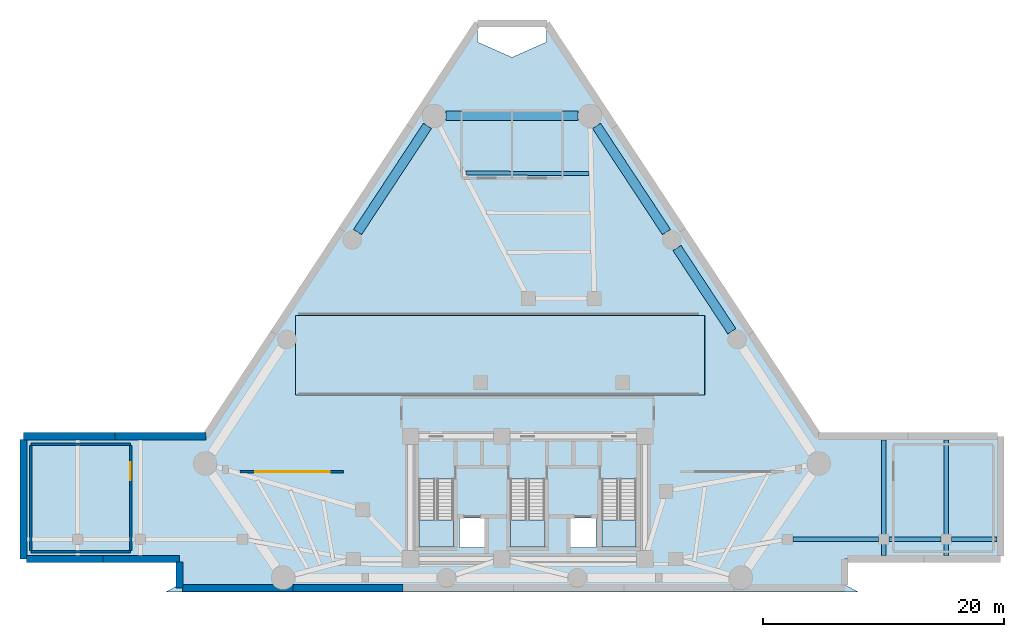
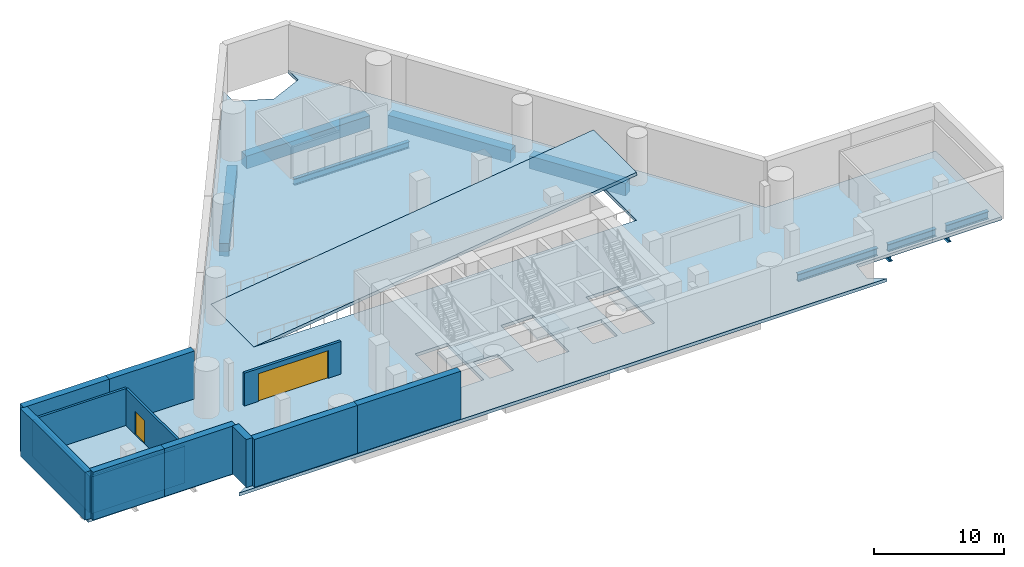
# One storey, part 2 of 6: 13 walls, 10 beams, 5 slabs, 2 doors, 2 openings, 3 elements without a shape of their own.
"""IFC4 building model written with IfcOpenShell, lengths in metres."""

from ifc_helpers import new_model, si_unit, direction, frame, frame_2d, origin, origin_2d, place, context, subcontext, project, spatial, polyline, rectangle, i_section, outline, extrude, material, layer, layer_set, material_profile, profile_set, type_object, element, fill, aggregate, save


model = new_model("IFC4")

# Units and contexts
model_context = context("Model", 3, precision=1e-05, world=origin(), true_north=direction((0.0, 1.0)))
body_context = subcontext(model_context, "Body", "Model", "MODEL_VIEW")
ifc_project = project(units=[si_unit("LENGTHUNIT", "METRE"), si_unit("AREAUNIT", "SQUARE_METRE"), si_unit("VOLUMEUNIT", "CUBIC_METRE"), si_unit("PLANEANGLEUNIT", "RADIAN"), si_unit("MASSUNIT", "GRAM", prefix="KILO")], contexts=[model_context])

# Site, building, storey
site_placement = place(None, origin())
site = spatial("IfcSite", under=ifc_project, at=site_placement, CompositionType="ELEMENT")
building_placement = place(site_placement, origin())
building = spatial("IfcBuilding", under=site, at=building_placement, Name="Almagre Mirador Tower", CompositionType="ELEMENT")
storey_placement = place(building_placement, frame((0.0, 0.0, -4.5)))
storey = spatial("IfcBuildingStorey", under=building, at=storey_placement, Name="B01", CompositionType="ELEMENT", Elevation=-4.5)

# Beams
ifc_material_1 = material(Name="Steel ASTM A992 Grade 50", Category="steel")
ifc_material_profile_1 = material_profile(ifc_material_1, i_section(OverallWidth=0.323974609375, OverallDepth=0.611083984375, WebThickness=0.0126953125, FlangeThickness=0.01904296875, FilletRadius=0.02001953125, at=origin_2d()), Name="W24X104")
ifc_profile_set_1 = profile_set([ifc_material_profile_1], Name="Steel ASTM A992 Grade 50")
beam_type_1 = type_object("IfcBeamType", Name="BM-JST-W24X104", PredefinedType="JOIST", material=ifc_profile_set_1)
beam_1_placement = place(storey_placement, frame((42.3837890625, 36.584716796875, -0.60546875), z_axis=(-0.99998337963, 0.005765454414, 0.0), x_axis=(-0.005765454414, -0.99998337963, 0.0)))
element("IfcBeam", 1, at=beam_1_placement, inside=storey, type_object=beam_type_1, Name="B01 secondary floor joist PC08-PC09.1", PredefinedType="JOIST", context=body_context, shape_type="SweptSolid", body=[
    extrude(i_section(OverallWidth=0.323974609375, OverallDepth=0.611083984375, WebThickness=0.0126953125, FlangeThickness=0.01904296875, FilletRadius=0.02001953125, at=origin_2d()), origin(), (0.0, 0.0, 1.0), 10.205322265625),
])
ifc_material_2 = material(Name="Precast concrete C50/60", Category="concrete")
ifc_material_profile_2 = material_profile(ifc_material_2, rectangle(XDim=0.800048828125, YDim=1.199951171875, at=origin_2d()), Name="RC800X1200")
ifc_profile_set_2 = profile_set([ifc_material_profile_2], Name="Precast concrete C50/60")
beam_type_2 = type_object("IfcBeamType", Name="BM-SPN-RC800X1200", PredefinedType="SPANDREL", material=ifc_profile_set_2)
beam_2_placement = place(storey_placement, frame((54.27783203125, 23.47998046875, -0.89990234375), z_axis=(-0.55020506323, 0.835029573366, 0.0), x_axis=(-0.835029573366, -0.55020506323, 0.0)))
element("IfcBeam", 2, at=beam_2_placement, inside=storey, type_object=beam_type_2, Name="B01 perimeter spandrel beam PC06-PC07", PredefinedType="SPANDREL", context=body_context, shape_type="SweptSolid", body=[
    extrude(rectangle(XDim=0.800048828125, YDim=1.199951171875, at=origin_2d()), origin(), (0.0, 0.0, 1.0), 8.287109375),
])
beam_3_placement = place(storey_placement, frame((48.837890625, 31.736083984375, -0.89990234375), z_axis=(-0.550210045995, 0.835026290177, 0.0), x_axis=(-0.835026290177, -0.550210045995, 0.0)))
element("IfcBeam", 3, at=beam_3_placement, inside=storey, type_object=beam_type_2, Name="B01 perimeter spandrel beam PC07-PC08", PredefinedType="SPANDREL", context=body_context, shape_type="SweptSolid", body=[
    extrude(rectangle(XDim=0.800048828125, YDim=1.199951171875, at=origin_2d()), origin(), (0.0, 0.0, 1.0), 10.558837890625),
])
beam_4_placement = place(storey_placement, frame((41.47802734375, 41.387939453125, -0.89990234375), z_axis=(-1.0, 0.0, 0.0), x_axis=(0.0, -1.0, 0.0)))
element("IfcBeam", 4, at=beam_4_placement, inside=storey, type_object=beam_type_2, Name="B01 perimeter spandrel beam PC08-PC09", PredefinedType="SPANDREL", context=body_context, shape_type="SweptSolid", body=[
    extrude(rectangle(XDim=0.800048828125, YDim=1.199951171875, at=origin_2d()), origin(), (0.0, 0.0, 1.0), 10.9560546875),
])
beam_5_placement = place(storey_placement, frame((28.9716796875, 40.552978515625, -0.89990234375), z_axis=(-0.550210045995, -0.835026290177, 0.0), x_axis=(0.835026290177, -0.550210045995, 0.0)))
element("IfcBeam", 5, at=beam_5_placement, inside=storey, type_object=beam_type_2, Name="B01 perimeter spandrel beam PC09-PC10", PredefinedType="SPANDREL", context=body_context, shape_type="SweptSolid", body=[
    extrude(rectangle(XDim=0.800048828125, YDim=1.199951171875, at=origin_2d()), origin(), (0.0, 0.0, 1.0), 10.558837890625),
])
ifc_material_3 = material(Name="Steel ASTM A992 Grade 50", Category="steel")
ifc_material_profile_3 = material_profile(ifc_material_3, i_section(OverallWidth=0.35791015625, OverallDepth=0.7060546875, WebThickness=0.018310546875, FlangeThickness=0.0302734375, FilletRadius=0.02197265625, at=origin_2d()), Name="W27X178")
ifc_profile_set_3 = profile_set([ifc_material_profile_3], Name="Steel ASTM A992 Grade 50")
beam_type_3 = type_object("IfcBeamType", Name="BM-STL-W27X178", PredefinedType="BEAM", material=ifc_profile_set_3)
beam_6_placement = place(storey_placement, frame((76.300048828125, 6.199951171875, -0.653076171875), z_axis=(-1.0, 0.0, 0.0), x_axis=(0.0, -1.0, 0.0)))
element("IfcBeam", 6, at=beam_6_placement, inside=storey, type_object=beam_type_3, Name="B01 substructure wing girder BW-E1", PredefinedType="BEAM", context=body_context, shape_type="SweptSolid", body=[
    extrude(i_section(OverallWidth=0.35791015625, OverallDepth=0.7060546875, WebThickness=0.018310546875, FlangeThickness=0.0302734375, FilletRadius=0.02197265625, at=origin_2d()), origin(), (0.0, 0.0, 1.0), 3.75),
])
beam_7_placement = place(storey_placement, frame((71.64990234375, 6.199951171875, -0.653076171875), z_axis=(-1.0, 0.0, 0.0), x_axis=(0.0, -1.0, 0.0)))
element("IfcBeam", 7, at=beam_7_placement, inside=storey, type_object=beam_type_3, Name="B01 substructure wing girder BW-E2", PredefinedType="BEAM", context=body_context, shape_type="SweptSolid", body=[
    extrude(i_section(OverallWidth=0.35791015625, OverallDepth=0.7060546875, WebThickness=0.018310546875, FlangeThickness=0.0302734375, FilletRadius=0.02197265625, at=origin_2d()), origin(), (0.0, 0.0, 1.0), 4.2998046875),
])
beam_8_placement = place(storey_placement, frame((66.449951171875, 6.199951171875, -0.653076171875), z_axis=(-1.0, 0.0, 0.0), x_axis=(0.0, -1.0, 0.0)))
element("IfcBeam", 8, at=beam_8_placement, inside=storey, type_object=beam_type_3, Name="B01 substructure wing girder BW-E3", PredefinedType="BEAM", context=body_context, shape_type="SweptSolid", body=[
    extrude(i_section(OverallWidth=0.35791015625, OverallDepth=0.7060546875, WebThickness=0.018310546875, FlangeThickness=0.0302734375, FilletRadius=0.02197265625, at=origin_2d()), origin(), (0.0, 0.0, 1.0), 7.099853515625),
])
for number, where, z_axis, x_axis, name in (
    (9, (72.10009765625, 4.85009765625, -0.653076171875), (0.0, 1.0, 0.0), (-1.0, 0.0, 0.0), "B01 substructure wing girder BW-EN1"),
    (10, (66.89990234375, 4.85009765625, -0.653076171875), (0.0, 1.0, 0.0), (-1.0, 0.0, 0.0), "B01 substructure wing girder BW-EN2"),
):
    element("IfcBeam", number, at=place(storey_placement, frame(where, z_axis=z_axis, x_axis=x_axis)), inside=storey, type_object=beam_type_3, Name=name, PredefinedType="BEAM", context=body_context, shape_type="SweptSolid", body=[
        extrude(i_section(OverallWidth=0.35791015625, OverallDepth=0.7060546875, WebThickness=0.018310546875, FlangeThickness=0.0302734375, FilletRadius=0.02197265625, at=origin_2d()), origin(), (0.0, 0.0, 1.0), 9.599853515625),
    ])

# Slab
ifc_material_4 = material(Name="Concrete C45/55", Category="concrete")
ifc_layer_1 = layer(ifc_material_4, 0.300048828125)
ifc_layer_set_1 = layer_set([ifc_layer_1], Name="Concrete C45/55")
slab_type_1 = type_object("IfcSlabType", Name="SLB-FLR-300", PredefinedType="FLOOR", material=ifc_layer_set_1)
slab_1_placement = place(storey_placement, frame((0.0, 0.0, -0.300048828125)))
element("IfcSlab", 11, at=slab_1_placement, inside=storey, type_object=slab_type_1, Name="B01 structural floor slab", PredefinedType="FLOOR", context=body_context, shape_type="SweptSolid", body=[
    extrude(outline(polyline([(33.138916015625, 49.05810546875), (10.532958984375, 14.75), (-4.60009765625, 14.75), (-4.60009765625, 4.550048828125), (8.35205078125, 4.550048828125), (8.547119140625, 2.52587890625), (7.199951171875, 1.800048828125), (64.800048828125, 1.800048828125), (63.452880859375, 2.52587890625), (63.64794921875, 4.550048828125), (76.60009765625, 4.550048828125), (76.60009765625, 14.75), (61.467041015625, 14.75), (38.861083984375, 49.05810546875), (38.861083984375, 47.528076171875), (36.0, 46.256103515625), (33.138916015625, 47.528076171875), (33.138916015625, 49.05810546875)]), holes=[polyline([(52.0, 18.199951171875), (18.0, 18.199951171875), (18.0, 24.800048828125), (52.0, 24.800048828125), (52.0, 18.199951171875)]), polyline([(43.47509765625, 5.550048828125), (43.47509765625, 11.196044921875), (46.324951171875, 11.196044921875), (46.324951171875, 5.550048828125), (43.47509765625, 5.550048828125)]), polyline([(42.97998046875, 5.52001953125), (40.820068359375, 5.52001953125), (40.820068359375, 7.97998046875), (42.97998046875, 7.97998046875), (42.97998046875, 5.52001953125)]), polyline([(38.72509765625, 5.550048828125), (35.875, 5.550048828125), (35.875, 11.196044921875), (38.72509765625, 11.196044921875), (38.72509765625, 5.550048828125)]), polyline([(33.780029296875, 7.97998046875), (33.780029296875, 5.52001953125), (31.6201171875, 5.52001953125), (31.6201171875, 7.97998046875), (33.780029296875, 7.97998046875)]), polyline([(28.27490234375, 5.550048828125), (28.27490234375, 11.196044921875), (31.125, 11.196044921875), (31.125, 5.550048828125), (28.27490234375, 5.550048828125)])]), origin(), (0.0, 0.0, 1.0), 0.300048828125),
])

# Stair, slab
ifc_material_5 = material(Name="Concrete C45/55", Category="concrete")
stair_type = type_object("IfcStairType", Name="STR-DL-4500", PredefinedType="HALF_TURN_STAIR", material=ifc_material_5)
stair_1_placement = place(storey_placement, origin())
stair_1 = element("IfcStair", 12, at=stair_1_placement, inside=storey, type_object=stair_type, Name="B01 Protected exit stair ST-1", PredefinedType="HALF_TURN_STAIR")
ifc_material_6 = material(Name="Concrete C45/55", Category="concrete")
ifc_layer_2 = layer(ifc_material_6, 0.199951171875)
ifc_layer_set_2 = layer_set([ifc_layer_2], Name="Concrete C45/55")
slab_type_2 = type_object("IfcSlabType", Name="SLB-LND-200", PredefinedType="LANDING", material=ifc_layer_set_2)
slab_2_placement = place(storey_placement, frame((0.0, 0.0, 2.050048828125)))
slab_2 = element("IfcSlab", 13, at=slab_2_placement, type_object=slab_type_2, Name="ST-1 landing 1", PredefinedType="LANDING", context=body_context, shape_type="SweptSolid", body=[
    extrude(outline(polyline([(28.27490234375, 7.780029296875), (28.27490234375, 5.550048828125), (31.125, 5.550048828125), (31.125, 7.780029296875), (28.27490234375, 7.780029296875)])), origin(), (0.0, 0.0, 1.0), 0.199951171875),
])
aggregate(stair_1, [slab_2])

stair_2_placement = place(storey_placement, origin())
stair_2 = element("IfcStair", 14, at=stair_2_placement, inside=storey, type_object=stair_type, Name="B01 Protected exit stair ST-2", PredefinedType="HALF_TURN_STAIR")
slab_3_placement = place(storey_placement, frame((0.0, 0.0, 2.050048828125)))
slab_3 = element("IfcSlab", 15, at=slab_3_placement, type_object=slab_type_2, Name="ST-2 landing 1", PredefinedType="LANDING", context=body_context, shape_type="SweptSolid", body=[
    extrude(outline(polyline([(35.875, 7.780029296875), (35.875, 5.550048828125), (38.72509765625, 5.550048828125), (38.72509765625, 7.780029296875), (35.875, 7.780029296875)])), origin(), (0.0, 0.0, 1.0), 0.199951171875),
])
aggregate(stair_2, [slab_3])

stair_3_placement = place(storey_placement, origin())
stair_3 = element("IfcStair", 16, at=stair_3_placement, inside=storey, type_object=stair_type, Name="B01 Protected exit stair ST-3", PredefinedType="HALF_TURN_STAIR")
slab_4_placement = place(storey_placement, frame((0.0, 0.0, 2.050048828125)))
slab_4 = element("IfcSlab", 17, at=slab_4_placement, type_object=slab_type_2, Name="ST-3 landing 1", PredefinedType="LANDING", context=body_context, shape_type="SweptSolid", body=[
    extrude(outline(polyline([(43.47509765625, 7.780029296875), (43.47509765625, 5.550048828125), (46.324951171875, 5.550048828125), (46.324951171875, 7.780029296875), (43.47509765625, 7.780029296875)])), origin(), (0.0, 0.0, 1.0), 0.199951171875),
])
aggregate(stair_3, [slab_4])

# Slab
ifc_material_7 = material(Name="Concrete C45/55", Category="concrete")
ifc_layer_3 = layer(ifc_material_7, 0.300048828125)
ifc_layer_set_3 = layer_set([ifc_layer_3], Name="Concrete C45/55")
slab_type_3 = type_object("IfcSlabType", Name="SLB-RMP-300", PredefinedType="FLOOR", material=ifc_layer_set_3)
slab_5_placement = place(storey_placement, frame((18.0, 18.199951171875, 0.0), z_axis=(-0.131208719028, 0.0, 0.99135476599), x_axis=(0.99135476599, 0.0, 0.131208719028)))
element("IfcSlab", 18, at=slab_5_placement, inside=storey, type_object=slab_type_3, Name="Car park vehicular ramp R1 B01 flight", PredefinedType="FLOOR", context=body_context, shape_type="SweptSolid", body=[
    extrude(outline(polyline([(0.0, 0.0), (34.29650127928504, 0.0), (34.29650127928504, 6.60009765625), (0.0, 6.60009765625), (0.0, 0.0)])), origin(), (0.0, 0.0, -1.0), 0.300048828125),
])

# Walls
ifc_material_8 = material(Name="Gypsum acoustic stud partition", Category="other")
ifc_layer_4 = layer(ifc_material_8, 0.199951171875)
ifc_layer_set_4 = layer_set([ifc_layer_4], Name="Gypsum acoustic stud partition")
wall_type_1 = type_object("IfcWallType", Name="WAL-PRT-200-EI60", PredefinedType="PARTITIONING", material=ifc_layer_set_4)
for number, where, z_axis, x_axis, name in (
    (19, (-4.0, 5.14990234375, 0.0), (0.0, 0.0, 1.0), (1.0, 0.0, 0.0), "B01 West Domestic Water Booster Plant Room S fire partition"),
    (20, (-4.0, 14.10009765625, 0.0), (0.0, 0.0, 1.0), (1.0, 0.0, 0.0), "B01 West Domestic Water Booster Plant Room N fire partition"),
):
    element("IfcWall", number, at=place(storey_placement, frame(where, z_axis=z_axis, x_axis=x_axis)), inside=storey, type_object=wall_type_1, Name=name, PredefinedType="PARTITIONING", context=body_context, shape_type="SweptSolid", body=[
        extrude(rectangle(XDim=8.300048828125, YDim=0.199951171875, at=frame_2d((4.14990234375, 0.0))), origin(), (0.0, 0.0, 1.0), 3.464111328125),
    ])
wall_1_placement = place(storey_placement, frame((-4.0, 5.2548828125, 0.0), z_axis=(0.0, 0.0, 1.0), x_axis=(0.0, 1.0, 0.0)))
element("IfcWall", 21, at=wall_1_placement, inside=storey, type_object=wall_type_1, Name="B01 West Domestic Water Booster Plant Room W fire partition", PredefinedType="PARTITIONING", context=body_context, shape_type="SweptSolid", body=[
    extrude(rectangle(XDim=8.740234375, YDim=0.199951171875, at=frame_2d((4.3701171875, 0.0))), origin(), (0.0, 0.0, 1.0), 3.464111328125),
])

# Wall, opening, door
wall_2_placement = place(storey_placement, frame((4.300048828125, 5.2548828125, 0.0), z_axis=(0.0, 0.0, 1.0), x_axis=(0.0, 1.0, 0.0)))
wall_2 = element("IfcWall", 22, at=wall_2_placement, inside=storey, type_object=wall_type_1, Name="B01 West Domestic Water Booster Plant Room E fire partition", PredefinedType="PARTITIONING", context=body_context, shape_type="SweptSolid", body=[
    extrude(rectangle(XDim=8.740234375, YDim=0.199951171875, at=frame_2d((4.3701171875, 0.0))), origin(), (0.0, 0.0, 1.0), 3.464111328125),
])
opening_1_placement = place(wall_2_placement, frame((5.844970703125, 0.0, 0.0)))
opening_1 = element("IfcOpeningElement", 23, at=opening_1_placement, cuts=wall_2, Name="Opening ID-04", PredefinedType="OPENING", context=body_context, shape_type="SweptSolid", body=[
    extrude(rectangle(XDim=1.5, YDim=2.199951171875, at=frame_2d((0.75, 1.10009765625))), frame((0.0, 0.110098, 0.0), z_axis=(0.0, -1.0, 0.0), x_axis=(1.0, 0.0, 0.0)), (0.0, 0.0, 1.0), 0.219951),
])
ifc_material_9 = material(Name="Fire-rated hollow steel", Category="steel")
door_type_1 = type_object("IfcDoorType", Name="DOR-FD60-1500X2200", OperationType="DOUBLE_DOOR_SINGLE_SWING", PredefinedType="DOOR", material=ifc_material_9)
door_1_placement = place(opening_1_placement, origin())
door_1 = element("IfcDoor", 24, at=door_1_placement, inside=storey, type_object=door_type_1, Name="DR-0018 B01 West Domestic Water Booster Plant Room double fire door", OperationType="DOUBLE_DOOR_SINGLE_SWING", OverallHeight=2.199951171875, OverallWidth=1.5, PredefinedType="DOOR", context=body_context, shape_type="SweptSolid", body=[
    extrude(rectangle(XDim=1.5, YDim=2.199951171875, at=frame_2d((0.75, 1.10009765625))), frame((0.0, 0.02490234375, 0.0), z_axis=(0.0, -1.0, 0.0), x_axis=(1.0, 0.0, 0.0)), (0.0, 0.0, 1.0), 0.050048828125),
])
fill(opening_1, door_1)

ifc_material_10 = material(Name="Gypsum acoustic stud partition", Category="other")
ifc_layer_5 = layer(ifc_material_10, 0.22509765625)
ifc_layer_set_5 = layer_set([ifc_layer_5], Name="Gypsum acoustic stud partition")
wall_type_2 = type_object("IfcWallType", Name="WAL-PRT-225-EI120", PredefinedType="PARTITIONING", material=ifc_layer_set_5)
wall_3_placement = place(storey_placement, frame((13.39990234375, 11.800048828125, 0.0), z_axis=(0.0, 0.0, 1.0), x_axis=(1.0, 0.0, 0.0)))
wall_3 = element("IfcWall", 25, at=wall_3_placement, inside=storey, type_object=wall_type_2, Name="B01 garage smoke compartment wall 1", PredefinedType="PARTITIONING", context=body_context, shape_type="SweptSolid", body=[
    extrude(rectangle(XDim=8.60009765625, YDim=0.22509765625, at=frame_2d((4.300048828125, 0.0))), origin(), (0.0, 0.0, 1.0), 3.077880859375),
])
opening_2_placement = place(wall_3_placement, frame((1.25, 0.0, 0.0)))
opening_2 = element("IfcOpeningElement", 26, at=opening_2_placement, cuts=wall_3, Name="Opening VG-03", PredefinedType="OPENING", context=body_context, shape_type="SweptSolid", body=[
    extrude(rectangle(XDim=6.199951171875, YDim=2.60009765625, at=frame_2d((3.10009765625, 1.300048828125))), frame((0.0, 0.122549, 0.0), z_axis=(0.0, -1.0, 0.0), x_axis=(1.0, 0.0, 0.0)), (0.0, 0.0, 1.0), 0.245098),
])
ifc_material_11 = material(Name="Galvanized steel fire shutter", Category="steel")
door_type_2 = type_object("IfcDoorType", Name="GAT-GAR-6200X2600", OperationType="ROLLINGUP", PredefinedType="GATE", material=ifc_material_11)
door_2_placement = place(opening_2_placement, origin())
door_2 = element("IfcDoor", 27, at=door_2_placement, inside=storey, type_object=door_type_2, Name="DR-0033 B01 drive aisle automatic fire shutter VG-03.1", OperationType="ROLLINGUP", OverallHeight=2.60009765625, OverallWidth=6.199951171875, PredefinedType="GATE", context=body_context, shape_type="SweptSolid", body=[
    extrude(rectangle(XDim=6.199951171875, YDim=2.60009765625, at=frame_2d((3.10009765625, 1.300048828125))), frame((0.0, 0.02490234375, 0.0), z_axis=(0.0, -1.0, 0.0), x_axis=(1.0, 0.0, 0.0)), (0.0, 0.0, 1.0), 0.050048828125),
])
fill(opening_2, door_2)

# Walls
ifc_material_12 = material(Name="Concrete C50/60", Category="concrete")
ifc_layer_6 = layer(ifc_material_12, 0.60009765625)
ifc_layer_set_6 = layer_set([ifc_layer_6], Name="Concrete C50/60")
wall_type_3 = type_object("IfcWallType", Name="WAL-RET-600", PredefinedType="USERDEFINED", material=ifc_layer_set_6)
wall_4_placement = place(storey_placement, frame((10.572998046875, 14.75, 0.0), z_axis=(0.0, 0.0, 1.0), x_axis=(-1.0, 0.0, 0.0)))
element("IfcWall", 28, at=wall_4_placement, inside=storey, type_object=wall_type_3, Name="B01 perimeter retaining wall 02.1", ObjectType="RETAININGWALL", PredefinedType="USERDEFINED", context=body_context, shape_type="SweptSolid", body=[
    extrude(rectangle(XDim=7.58642578125, YDim=0.60009765625, at=frame_2d((3.793212890625, 0.0))), origin(), (0.0, 0.0, 1.0), 4.5),
])
wall_5_placement = place(storey_placement, frame((2.986572265625, 14.75, 0.0), z_axis=(0.0, 0.0, 1.0), x_axis=(-1.0, 0.0, 0.0)))
element("IfcWall", 29, at=wall_5_placement, inside=storey, type_object=wall_type_3, Name="B01 perimeter retaining wall 02.2", ObjectType="RETAININGWALL", PredefinedType="USERDEFINED", context=body_context, shape_type="SweptSolid", body=[
    extrude(rectangle(XDim=7.586669921875, YDim=0.60009765625, at=frame_2d((3.79345703125, 0.0))), origin(), (0.0, 0.0, 1.0), 4.5),
])
wall_6_placement = place(storey_placement, frame((-4.60009765625, 14.489990234375, 0.0), z_axis=(0.0, 0.0, 1.0), x_axis=(0.0, -1.0, 0.0)))
element("IfcWall", 30, at=wall_6_placement, inside=storey, type_object=wall_type_3, Name="B01 perimeter retaining wall 03.1", ObjectType="RETAININGWALL", PredefinedType="USERDEFINED", context=body_context, shape_type="SweptSolid", body=[
    extrude(rectangle(XDim=9.93994140625, YDim=0.60009765625, at=frame_2d((4.969970703125, 0.0))), origin(), (0.0, 0.0, 1.0), 4.5),
])
wall_7_placement = place(storey_placement, frame((-4.340087890625, 4.550048828125, 0.0), z_axis=(0.0, 0.0, 1.0), x_axis=(1.0, 0.0, 0.0)))
element("IfcWall", 31, at=wall_7_placement, inside=storey, type_object=wall_type_3, Name="B01 perimeter retaining wall 04.1", ObjectType="RETAININGWALL", PredefinedType="USERDEFINED", context=body_context, shape_type="SweptSolid", body=[
    extrude(rectangle(XDim=6.34619140625, YDim=0.60009765625, at=frame_2d((3.173095703125, 0.0))), origin(), (0.0, 0.0, 1.0), 4.5),
])
wall_8_placement = place(storey_placement, frame((2.006103515625, 4.550048828125, 0.0), z_axis=(0.0, 0.0, 1.0), x_axis=(1.0, 0.0, 0.0)))
element("IfcWall", 32, at=wall_8_placement, inside=storey, type_object=wall_type_3, Name="B01 perimeter retaining wall 04.2", ObjectType="RETAININGWALL", PredefinedType="USERDEFINED", context=body_context, shape_type="SweptSolid", body=[
    extrude(rectangle(XDim=6.345947265625, YDim=0.60009765625, at=frame_2d((3.1728515625, 0.0))), origin(), (0.0, 0.0, 1.0), 4.5),
])
wall_9_placement = place(storey_placement, frame((8.35205078125, 4.2900390625, 0.0), z_axis=(0.0, 0.0, 1.0), x_axis=(0.0, -1.0, 0.0)))
element("IfcWall", 33, at=wall_9_placement, inside=storey, type_object=wall_type_3, Name="B01 perimeter retaining wall 05.1", ObjectType="RETAININGWALL", PredefinedType="USERDEFINED", context=body_context, shape_type="SweptSolid", body=[
    extrude(rectangle(XDim=2.14013671875, YDim=0.60009765625, at=frame_2d((1.070068359375, 0.0))), origin(), (0.0, 0.0, 1.0), 4.5),
])
for number, where, z_axis, x_axis, name in (
    (34, (8.612060546875, 2.14990234375, 0.0), (0.0, 0.0, 1.0), (1.0, 0.0, 0.0), "B01 perimeter retaining wall 06.1"),
    (35, (17.78466796875, 2.14990234375, 0.0), (0.0, 0.0, 1.0), (1.0, 0.0, 0.0), "B01 perimeter retaining wall 06.2"),
):
    element("IfcWall", number, at=place(storey_placement, frame(where, z_axis=z_axis, x_axis=x_axis)), inside=storey, type_object=wall_type_3, Name=name, ObjectType="RETAININGWALL", PredefinedType="USERDEFINED", context=body_context, shape_type="SweptSolid", body=[
        extrude(rectangle(XDim=9.172607421875, YDim=0.60009765625, at=frame_2d((4.58642578125, 0.0))), origin(), (0.0, 0.0, 1.0), 4.5),
    ])

save(model, "model.ifc")
